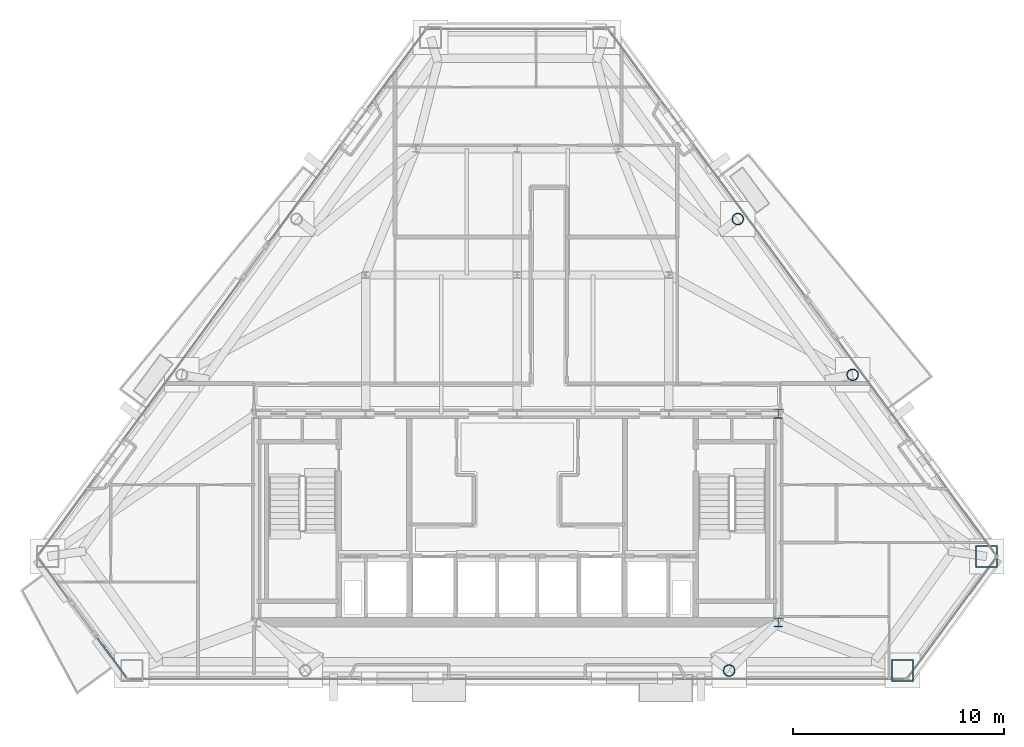
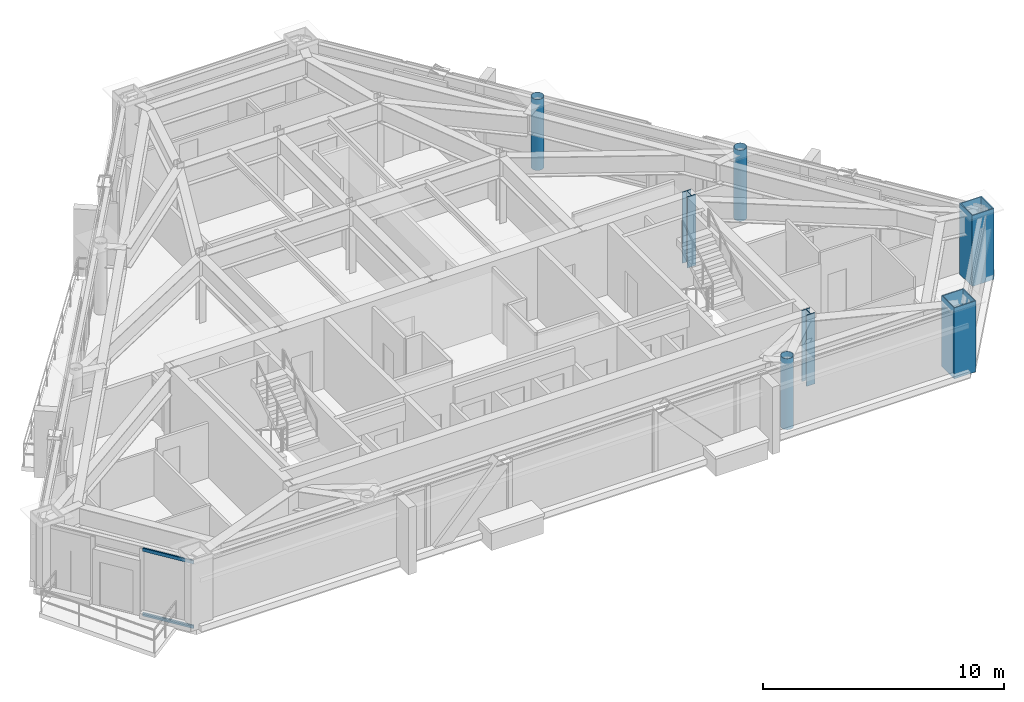
# One storey, part 2 of 12: 7 columns, 2 members, 1 element without a shape of its own.
"""IFC4 building model written with IfcOpenShell, lengths in metres."""

from ifc_helpers import new_model, si_unit, direction, frame, origin, origin_2d, place, context, subcontext, project, spatial, rectangle, hollow_rectangle, hollow_circle, i_section, extrude, material, layer, layer_set, material_profile, profile_set, type_object, element, aggregate, save


model = new_model("IFC4")

# Units and contexts
model_context = context("Model", 3, precision=1e-05, world=origin(), true_north=direction((0.0, 1.0)))
body_context = subcontext(model_context, "Body", "Model", "MODEL_VIEW")
ifc_project = project(units=[si_unit("LENGTHUNIT", "METRE"), si_unit("AREAUNIT", "SQUARE_METRE"), si_unit("VOLUMEUNIT", "CUBIC_METRE"), si_unit("PLANEANGLEUNIT", "RADIAN"), si_unit("MASSUNIT", "GRAM", prefix="KILO")], contexts=[model_context])

# Site, building, storey
site_placement = place(None, origin())
site = spatial("IfcSite", under=ifc_project, at=site_placement, CompositionType="ELEMENT")
building_placement = place(site_placement, origin())
building = spatial("IfcBuilding", under=site, at=building_placement, Name="Talgorran Terracotta Tower", CompositionType="ELEMENT")
storey_placement = place(building_placement, frame((0.0, 0.0, 182.10009765625)))
storey = spatial("IfcBuildingStorey", under=building, at=storey_placement, Name="L47", CompositionType="ELEMENT", Elevation=182.10009765625)

# Columns
ifc_material_1 = material(Name="Steel S355 (300PLUS)", Category="steel")
ifc_material_profile_1 = material_profile(ifc_material_1, i_section(OverallWidth=0.39990234375, OverallDepth=0.43994140625, WebThickness=0.028076171875, FlangeThickness=0.0400390625, at=origin_2d()), Name="400WC328")
ifc_profile_set_1 = profile_set([ifc_material_profile_1], Name="Steel S355 (300PLUS)")
column_type_1 = type_object("IfcColumnType", Name="COL_400WC328", PredefinedType="COLUMN", material=ifc_profile_set_1)
for number, where, z_axis, x_axis, name in (
    (1, (12.39990234375, -14.10009765625, 0.0), (0.0, 0.0, 1.0), (1.0, 0.0, 0.0), "L47 Core Boundary Column CC2"),
    (2, (12.39990234375, -4.199951171875, 0.0), (0.0, 0.0, 1.0), (1.0, 0.0, 0.0), "L47 Core Boundary Column CC3"),
):
    element("IfcColumn", number, at=place(storey_placement, frame(where, z_axis=z_axis, x_axis=x_axis)), inside=storey, type_object=column_type_1, Name=name, PredefinedType="COLUMN", context=body_context, shape_type="SweptSolid", body=[
        extrude(i_section(OverallWidth=0.39990234375, OverallDepth=0.43994140625, WebThickness=0.028076171875, FlangeThickness=0.0400390625, at=origin_2d()), origin(), (0.0, 0.0, 1.0), 3.599853515625),
    ])
ifc_material_2 = material(Name="Steel Grade 350 (350L0)", Category="steel")
ifc_material_profile_2 = material_profile(ifc_material_2, hollow_rectangle(XDim=1.050048828125, YDim=1.050048828125, WallThickness=0.044921875, at=origin_2d()), Name="CFT1050X1050X45")
ifc_profile_set_2 = profile_set([ifc_material_profile_2], Name="Steel Grade 350 (350L0)")
column_type_2 = type_object("IfcColumnType", Name="COL_CFT_1050", PredefinedType="COLUMN", material=ifc_profile_set_2)
for number, where, z_axis, x_axis, name in (
    (3, (18.30078125, -16.385498046875, 0.0), (0.0, 0.0, 1.0), (1.0, 0.0, 0.0), "L47 Corner CFT Mega-Column MC3"),
    (4, (22.2939453125, -10.97021484375, 0.0), (0.0, 0.0, 1.0), (1.0, 0.0, 0.0), "L47 Corner CFT Mega-Column MC4"),
):
    element("IfcColumn", number, at=place(storey_placement, frame(where, z_axis=z_axis, x_axis=x_axis)), inside=storey, type_object=column_type_2, Name=name, PredefinedType="COLUMN", context=body_context, shape_type="SweptSolid", body=[
        extrude(hollow_rectangle(XDim=1.050048828125, YDim=1.050048828125, WallThickness=0.044921875, at=origin_2d()), origin(), (0.0, 0.0, 1.0), 3.599853515625),
    ])
ifc_material_profile_3 = material_profile(ifc_material_2, hollow_circle(Radius=0.27490234375, WallThickness=0.02392578125, at=origin_2d()), Name="CHS550X24")
ifc_profile_set_3 = profile_set([ifc_material_profile_3], Name="Steel Grade 350 (350L0)")
column_type_3 = type_object("IfcColumnType", Name="COL_CHS_550", PredefinedType="COLUMN", material=ifc_profile_set_3)
for number, where, z_axis, x_axis, name in (
    (5, (10.0654296875, -16.385498046875, 0.0), (0.0, 0.0, 1.0), (1.0, 0.0, 0.0), "L47 Facet Perimeter Column FC2"),
    (6, (15.930908203125, -2.34130859375, 0.0), (0.0, 0.0, 1.0), (1.0, 0.0, 0.0), "L47 Facet Perimeter Column FC3"),
    (7, (10.47705078125, 5.0546875, 0.0), (0.0, 0.0, 1.0), (1.0, 0.0, 0.0), "L47 Facet Perimeter Column FC4"),
):
    element("IfcColumn", number, at=place(storey_placement, frame(where, z_axis=z_axis, x_axis=x_axis)), inside=storey, type_object=column_type_3, Name=name, PredefinedType="COLUMN", context=body_context, shape_type="SweptSolid", body=[
        extrude(hollow_circle(Radius=0.27490234375, WallThickness=0.02392578125, at=origin_2d()), origin(), (0.0, 0.0, 1.0), 3.599853515625),
    ])

# Curtain wall, members
ifc_material_3 = material(Name="High-Wind Unitised Glazing", Category="glass")
ifc_layer = layer(ifc_material_3, 0.2099609375, Name="CW_SYS3_RES_HIGH")
ifc_layer_set = layer_set([ifc_layer], Name="High-Wind Unitised Glazing")
curtain_wall_type = type_object("IfcCurtainWallType", Name="CW_SYS3_RES_HIGH", PredefinedType="NOTDEFINED", material=ifc_layer_set)
curtain_wall_placement = place(storey_placement, origin())
curtain_wall = element("IfcCurtainWall", 8, at=curtain_wall_placement, inside=storey, type_object=curtain_wall_type, Name="CW-L47-F11", PredefinedType="NOTDEFINED")
ifc_material_4 = material(Name="Architectural Aluminium 6063-T6", Category="aluminium")
ifc_material_profile_4 = material_profile(ifc_material_4, rectangle(XDim=0.070068359375, YDim=0.159912109375, at=origin_2d()), Name="CWT70X160")
ifc_profile_set_4 = profile_set([ifc_material_profile_4], Name="Architectural Aluminium 6063-T6")
member_type = type_object("IfcMemberType", Name="TRN_70X160", PredefinedType="USERDEFINED", material=ifc_profile_set_4)
member_1_placement = place(storey_placement, frame((-19.937255859375, -14.840087890625, 0.034912109375), z_axis=(0.593513016651, -0.804824390203, 0.0), x_axis=(0.804824390203, 0.593513016651, 0.0)))
member_1 = element("IfcMember", 9, at=member_1_placement, type_object=member_type, Name="CW-L47-11 transom 1.1", ObjectType="TRANSOM", PredefinedType="USERDEFINED", context=body_context, shape_type="SweptSolid", body=[
    extrude(rectangle(XDim=0.070068359375, YDim=0.159912109375, at=origin_2d()), origin(), (0.0, 0.0, 1.0), 2.307373046875),
])
member_2_placement = place(storey_placement, frame((-19.937255859375, -14.840087890625, 3.31494140625), z_axis=(0.593513016651, -0.804824390203, 0.0), x_axis=(0.804824390203, 0.593513016651, 0.0)))
member_2 = element("IfcMember", 10, at=member_2_placement, type_object=member_type, Name="CW-L47-11 transom 1.2", ObjectType="TRANSOM", PredefinedType="USERDEFINED", context=body_context, shape_type="SweptSolid", body=[
    extrude(rectangle(XDim=0.070068359375, YDim=0.159912109375, at=origin_2d()), origin(), (0.0, 0.0, 1.0), 2.307373046875),
])
aggregate(curtain_wall, [member_1, member_2])

save(model, "model.ifc")
